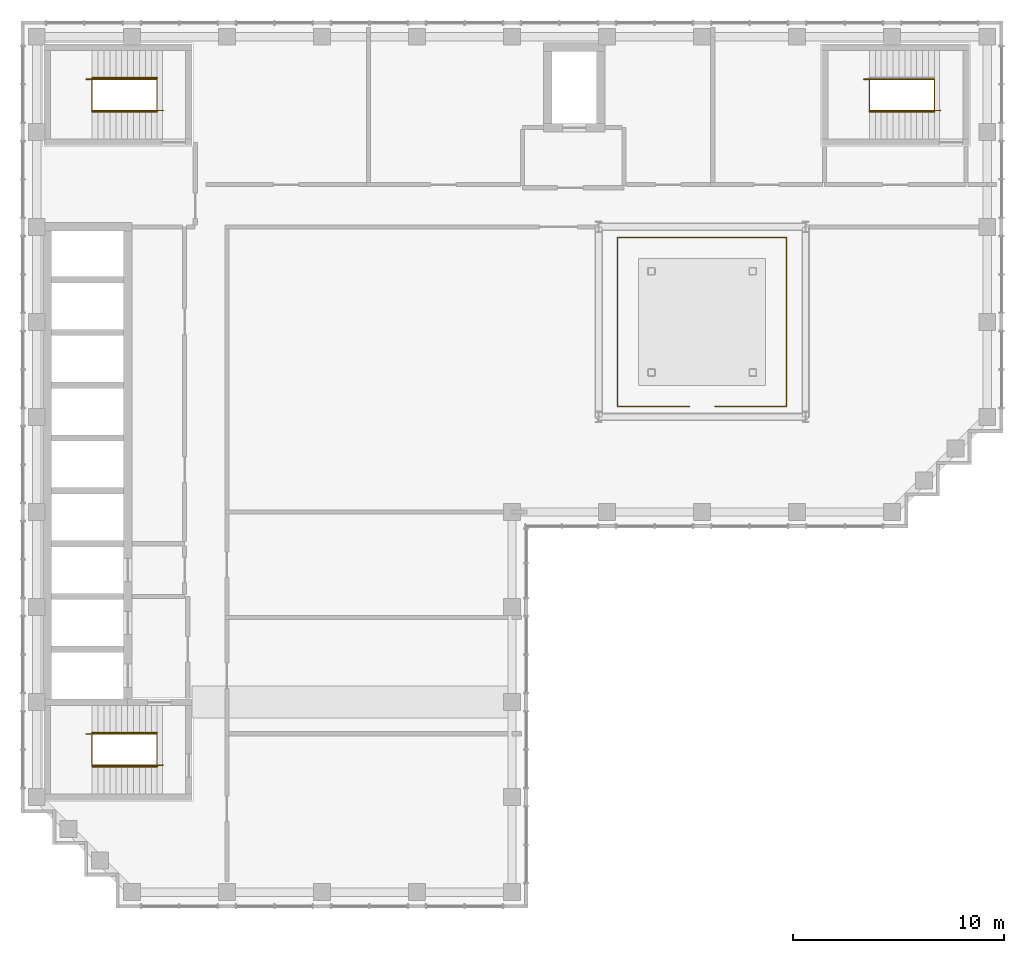
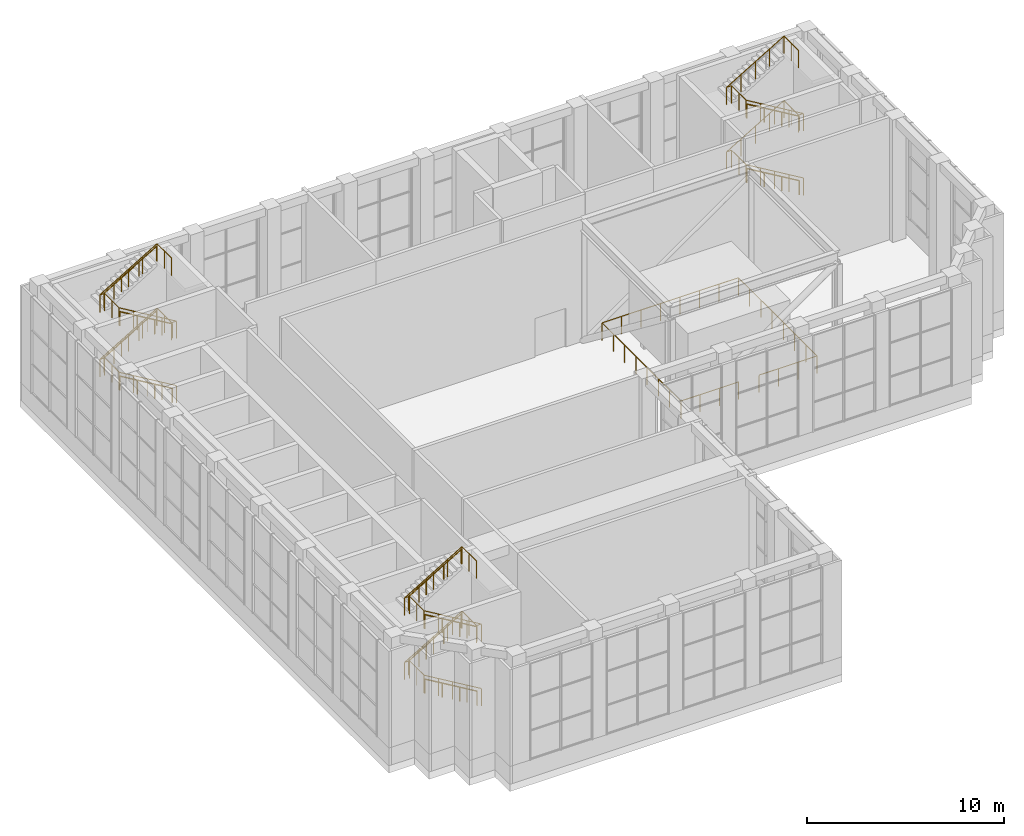
# One storey, part 16 of 17: 14 railings.
"""IFC4 building model written with IfcOpenShell, lengths in metres."""

import ifcopenshell
import ifcopenshell.guid

model = None  # the IFC model being written
_history = None  # IfcOwnerHistory: only IFC2X3 demands one
_inside = {}  # id of a spatial element -> (the spatial element, [elements in it])
_under = {}  # id of a project, library or spatial element -> (it, [spatial elements below it])
_declared = {}  # id of a project -> (the project, [libraries it declares])
_typed = {}  # id of a type object -> (the type object, [elements of that type])
_made_of = {}  # id of a material, layer set ... -> (it, [elements and type objects made of it])


def new_model(schema):
    """Start an empty IFC model of exactly this schema.

    Asked for "IFC4X3", IfcOpenShell would pick the latest addendum, in which some entities
    have other attributes; the version numbers below select the first issue.
    IFC2X3 requires an IfcOwnerHistory on every rooted entity: one is made here for all.
    """
    global model, _history
    if schema == "IFC4X3":
        model = ifcopenshell.file(schema_version=(4, 3, 0, 0))
    else:
        model = ifcopenshell.file(schema=schema)
    _inside.clear()
    _under.clear()
    _declared.clear()
    _typed.clear()
    _made_of.clear()
    _history = None
    if model.schema == "IFC2X3":
        org = make("IfcOrganization", Name="unknown")
        user = make(
            "IfcPersonAndOrganization",
            ThePerson=make("IfcPerson", FamilyName="unknown"),
            TheOrganization=org,
        )
        app = make(
            "IfcApplication",
            ApplicationDeveloper=org,
            Version="unknown",
            ApplicationFullName="unknown",
            ApplicationIdentifier="unknown",
        )
        _history = make(
            "IfcOwnerHistory",
            OwningUser=user,
            OwningApplication=app,
            ChangeAction="ADDED",
            CreationDate=0,
        )
    return model


def make(cls, **values):
    """One entity of the class cls with the attributes given. An attribute that is None is left unset."""
    return model.create_entity(
        cls, **{name: value for name, value in values.items() if value is not None}
    )


def rooted(cls, **values):
    """An entity with a GlobalId (a new one), such as an element, a storey or a relation."""
    return make(cls, GlobalId=ifcopenshell.guid.new(), OwnerHistory=_history, **values)


def si_unit(unit_type, name, prefix=None):
    """IfcSIUnit, for example si_unit("LENGTHUNIT", "METRE", prefix="MILLI")."""
    return make("IfcSIUnit", UnitType=unit_type, Prefix=prefix, Name=name)


def assignment(units):
    """IfcUnitAssignment: the units of a project."""
    return None if units is None else make("IfcUnitAssignment", Units=units)


def point(xyz):
    """IfcCartesianPoint."""
    return None if xyz is None else make("IfcCartesianPoint", Coordinates=xyz)


def direction(xyz):
    """IfcDirection."""
    return None if xyz is None else make("IfcDirection", DirectionRatios=xyz)


def frame(location, z_axis=None, x_axis=None):
    """IfcAxis2Placement3D, a coordinate frame: its origin and axes. An axis left out is left unset."""
    return make(
        "IfcAxis2Placement3D",
        Location=point(location),
        Axis=direction(z_axis),
        RefDirection=direction(x_axis),
    )


def frame_2d(location, x_axis=None):
    """IfcAxis2Placement2D, a coordinate frame in the plane: its origin and x axis."""
    return make(
        "IfcAxis2Placement2D", Location=point(location), RefDirection=direction(x_axis)
    )


def origin():
    """The frame at (0, 0, 0) with its axes left unset."""
    return frame((0.0, 0.0, 0.0))


def origin_2d():
    """The frame at (0, 0) in the plane with its x axis left unset."""
    return frame_2d((0.0, 0.0))


def place(relative_to, where):
    """IfcLocalPlacement: puts the frame where relative to a parent placement (None: the world)."""
    return make(
        "IfcLocalPlacement", PlacementRelTo=relative_to, RelativePlacement=where
    )


def context(
    kind, dimensions, precision=None, world=None, true_north=None, identifier=None
):
    """IfcGeometricRepresentationContext, for example the 3D "Model" context."""
    return make(
        "IfcGeometricRepresentationContext",
        ContextIdentifier=identifier,
        ContextType=kind,
        CoordinateSpaceDimension=dimensions,
        Precision=precision,
        WorldCoordinateSystem=world,
        TrueNorth=true_north,
    )


def subcontext(parent, identifier, kind, view, scale=None):
    """IfcGeometricRepresentationSubContext, for example "Body" below "Model"."""
    return make(
        "IfcGeometricRepresentationSubContext",
        ContextIdentifier=identifier,
        ContextType=kind,
        ParentContext=parent,
        TargetScale=scale,
        TargetView=view,
    )


def project(units=None, contexts=None):
    """IfcProject with its units and contexts."""
    return rooted(
        "IfcProject",
        Name="project",
        RepresentationContexts=contexts,
        UnitsInContext=assignment(units),
    )


def spatial(cls, under=None, at=None, **own):
    """A site, building, storey or space (cls), placed at a placement, below another one or the project."""
    s = rooted(cls, ObjectPlacement=at, **own)
    if under is not None:
        _under.setdefault(under.id(), (under, []))[1].append(s)
    return s


def profile(cls, at=None, kind="AREA", **sizes):
    """A parametric profile (cls). Its sizes go by their IFC names, for example OverallWidth=200.0."""
    return make(cls, ProfileType=kind, Position=at, **sizes)


def circle(**sizes):
    """IfcCircleProfileDef."""
    return profile("IfcCircleProfileDef", **sizes)


def extrude(swept, where, along, depth):
    """IfcExtrudedAreaSolid: the profile swept, set in the frame where, extruded along a direction by depth."""
    return make(
        "IfcExtrudedAreaSolid",
        SweptArea=swept,
        Position=where,
        ExtrudedDirection=direction(along),
        Depth=depth,
    )


def shape(context_of_items, identifier, shape_type, items):
    """IfcShapeRepresentation: the items that make up one representation, for example the "Body"."""
    return make(
        "IfcShapeRepresentation",
        ContextOfItems=context_of_items,
        RepresentationIdentifier=identifier,
        RepresentationType=shape_type,
        Items=items,
    )


def material(Name=None, Category=None):
    """IfcMaterial."""
    return make("IfcMaterial", Name=Name, Category=Category)


def made_of(thing, what):
    """Note that an element or type object is made of a material, layer set ...; save() writes the relation."""
    if what is not None:
        _made_of.setdefault(what.id(), (what, []))[1].append(thing)
    return thing


def type_object(cls, material=None, **own):
    """A type object (cls), such as IfcWallType, which elements share."""
    return made_of(rooted(cls, **own), material)


def element(
    cls,
    number,
    at=None,
    inside=None,
    cuts=None,
    type_object=None,
    material=None,
    context=None,
    identifier="Body",
    shape_type=None,
    held_by="IfcProductDefinitionShape",
    body=None,
    shapes=None,
    **own,
):
    """One element of the class cls, such as IfcWall. Its Tag is "e" and its number.

    at: its placement. inside: the storey or other place that contains it. cuts: it is an
    opening in that element (IfcRelVoidsElement). A single representation is given by context,
    identifier, shape_type and body (its items); several are given by shapes. held_by: the class
    of the entity that holds the representations. save() writes the other relations.
    """
    e = rooted(cls, Tag="e%d" % number, ObjectPlacement=at, **own)
    if body is not None:
        shapes = [shape(context, identifier, shape_type, body)]
    if shapes is not None:
        e.Representation = make(held_by, Representations=shapes)
    if inside is not None:
        _inside.setdefault(inside.id(), (inside, []))[1].append(e)
    if cuts is not None:
        rooted(
            "IfcRelVoidsElement", RelatingBuildingElement=cuts, RelatedOpeningElement=e
        )
    if type_object is not None:
        _typed.setdefault(type_object.id(), (type_object, []))[1].append(e)
    return made_of(e, material)


def aggregate(whole, parts):
    """IfcRelAggregates: a whole, such as a stair, and the parts it consists of."""
    return rooted("IfcRelAggregates", RelatingObject=whole, RelatedObjects=parts)


def save(model, path):
    """Write the relations noted so far, then the file.

    IfcRelAggregates (storeys below a building ...), IfcRelContainedInSpatialStructure (elements
    in a storey), IfcRelDefinesByType, IfcRelAssociatesMaterial and IfcRelDeclares: one each for
    every whole, place, type object, material and project.
    """
    for whole, parts in _under.values():
        aggregate(whole, parts)
    for where, things in _inside.values():
        rooted(
            "IfcRelContainedInSpatialStructure",
            RelatedElements=things,
            RelatingStructure=where,
        )
    for kind, things in _typed.values():
        rooted("IfcRelDefinesByType", RelatedObjects=things, RelatingType=kind)
    for what, things in _made_of.values():
        rooted("IfcRelAssociatesMaterial", RelatedObjects=things, RelatingMaterial=what)
    for by, libraries in _declared.values():
        rooted("IfcRelDeclares", RelatingContext=by, RelatedDefinitions=libraries)
    model.write(path)


model = new_model("IFC4")

# Units and contexts
model_context = context("Model", 3, precision=1e-05, world=origin(), true_north=direction((0.0, 1.0)))
body_context = subcontext(model_context, "Body", "Model", "MODEL_VIEW")
ifc_project = project(units=[si_unit("LENGTHUNIT", "METRE"), si_unit("AREAUNIT", "SQUARE_METRE"), si_unit("VOLUMEUNIT", "CUBIC_METRE"), si_unit("PLANEANGLEUNIT", "RADIAN"), si_unit("MASSUNIT", "GRAM", prefix="KILO")], contexts=[model_context])

# Site, building, storey
site_placement = place(None, origin())
site = spatial("IfcSite", under=ifc_project, at=site_placement, CompositionType="ELEMENT")
building_placement = place(site_placement, origin())
building = spatial("IfcBuilding", under=site, at=building_placement, Name="Firuza Court", CompositionType="ELEMENT")
storey_placement = place(building_placement, frame((0.0, 0.0, 258.199951171875)))
storey = spatial("IfcBuildingStorey", under=building, at=storey_placement, Name="L67", CompositionType="ELEMENT", Elevation=258.199951171875)

# Railings
ifc_material_1 = material(Name="Steel S355", Category="steel")
railing_type_1 = type_object("IfcRailingType", Name="Damper gallery guard 1100", PredefinedType="GUARDRAIL", material=ifc_material_1)
railing_1_placement = place(storey_placement, frame((30.89990234375, 41.0, 0.0)))
element("IfcRailing", 1, at=railing_1_placement, inside=storey, type_object=railing_type_1, Name="Damper pit guard", PredefinedType="GUARDRAIL", context=body_context, shape_type="SweptSolid", body=[
    extrude(circle(Radius=0.02490234375, at=origin_2d()), frame((0.0, 0.0, 1.0751953125), z_axis=(-1.0, 0.0, 0.0), x_axis=(0.0, -1.0, 0.0)), (0.0, 0.0, 1.0), 3.39990234375),
    extrude(circle(Radius=0.02490234375, at=origin_2d()), frame((-3.39990234375, 0.0, 1.0751953125), z_axis=(0.0, 1.0, 0.0), x_axis=(-1.0, 0.0, 0.0)), (0.0, 0.0, 1.0), 8.0),
    extrude(circle(Radius=0.02490234375, at=origin_2d()), frame((-3.39990234375, 8.0, 1.0751953125), z_axis=(1.0, 0.0, 0.0), x_axis=(0.0, 1.0, 0.0)), (0.0, 0.0, 1.0), 8.0),
    extrude(circle(Radius=0.02490234375, at=origin_2d()), frame((4.60009765625, 8.0, 1.0751953125), z_axis=(0.0, -1.0, 0.0), x_axis=(1.0, 0.0, 0.0)), (0.0, 0.0, 1.0), 8.0),
    extrude(circle(Radius=0.02490234375, at=origin_2d()), frame((4.60009765625, 0.0, 1.0751953125), z_axis=(-1.0, 0.0, 0.0), x_axis=(0.0, -1.0, 0.0)), (0.0, 0.0, 1.0), 3.39990234375),
    extrude(circle(Radius=0.02490234375, at=origin_2d()), origin(), (0.0, 0.0, 1.0), 1.050048828125),
    extrude(circle(Radius=0.02490234375, at=origin_2d()), frame((-1.13330078125, 0.0, 0.0)), (0.0, 0.0, 1.0), 1.050048828125),
    extrude(circle(Radius=0.02490234375, at=origin_2d()), frame((-2.2666015625, 0.0, 0.0)), (0.0, 0.0, 1.0), 1.050048828125),
    extrude(circle(Radius=0.02490234375, at=origin_2d()), frame((-3.39990234375, 0.0, 0.0)), (0.0, 0.0, 1.0), 1.050048828125),
    extrude(circle(Radius=0.02490234375, at=origin_2d()), frame((-3.39990234375, 1.142822265625, 0.0)), (0.0, 0.0, 1.0), 1.050048828125),
    extrude(circle(Radius=0.02490234375, at=origin_2d()), frame((-3.39990234375, 2.28564453125, 0.0)), (0.0, 0.0, 1.0), 1.050048828125),
    extrude(circle(Radius=0.02490234375, at=origin_2d()), frame((-3.39990234375, 3.428466796875, 0.0)), (0.0, 0.0, 1.0), 1.050048828125),
    extrude(circle(Radius=0.02490234375, at=origin_2d()), frame((-3.39990234375, 4.571533203125, 0.0)), (0.0, 0.0, 1.0), 1.050048828125),
    extrude(circle(Radius=0.02490234375, at=origin_2d()), frame((-3.39990234375, 5.71435546875, 0.0)), (0.0, 0.0, 1.0), 1.050048828125),
    extrude(circle(Radius=0.02490234375, at=origin_2d()), frame((-3.39990234375, 6.857177734375, 0.0)), (0.0, 0.0, 1.0), 1.050048828125),
    extrude(circle(Radius=0.02490234375, at=origin_2d()), frame((-3.39990234375, 8.0, 0.0)), (0.0, 0.0, 1.0), 1.050048828125),
    extrude(circle(Radius=0.02490234375, at=origin_2d()), frame((-2.257080078125, 8.0, 0.0)), (0.0, 0.0, 1.0), 1.050048828125),
    extrude(circle(Radius=0.02490234375, at=origin_2d()), frame((-1.1142578125, 8.0, 0.0)), (0.0, 0.0, 1.0), 1.050048828125),
    extrude(circle(Radius=0.02490234375, at=origin_2d()), frame((0.028564453125, 8.0, 0.0)), (0.0, 0.0, 1.0), 1.050048828125),
    extrude(circle(Radius=0.02490234375, at=origin_2d()), frame((1.171630859375, 8.0, 0.0)), (0.0, 0.0, 1.0), 1.050048828125),
    extrude(circle(Radius=0.02490234375, at=origin_2d()), frame((2.314453125, 8.0, 0.0)), (0.0, 0.0, 1.0), 1.050048828125),
    extrude(circle(Radius=0.02490234375, at=origin_2d()), frame((3.457275390625, 8.0, 0.0)), (0.0, 0.0, 1.0), 1.050048828125),
    extrude(circle(Radius=0.02490234375, at=origin_2d()), frame((4.60009765625, 8.0, 0.0)), (0.0, 0.0, 1.0), 1.050048828125),
    extrude(circle(Radius=0.02490234375, at=origin_2d()), frame((4.60009765625, 6.857177734375, 0.0)), (0.0, 0.0, 1.0), 1.050048828125),
    extrude(circle(Radius=0.02490234375, at=origin_2d()), frame((4.60009765625, 5.71435546875, 0.0)), (0.0, 0.0, 1.0), 1.050048828125),
    extrude(circle(Radius=0.02490234375, at=origin_2d()), frame((4.60009765625, 4.571533203125, 0.0)), (0.0, 0.0, 1.0), 1.050048828125),
    extrude(circle(Radius=0.02490234375, at=origin_2d()), frame((4.60009765625, 3.428466796875, 0.0)), (0.0, 0.0, 1.0), 1.050048828125),
    extrude(circle(Radius=0.02490234375, at=origin_2d()), frame((4.60009765625, 2.28564453125, 0.0)), (0.0, 0.0, 1.0), 1.050048828125),
    extrude(circle(Radius=0.02490234375, at=origin_2d()), frame((4.60009765625, 1.142822265625, 0.0)), (0.0, 0.0, 1.0), 1.050048828125),
    extrude(circle(Radius=0.02490234375, at=origin_2d()), frame((4.60009765625, 0.0, 0.0)), (0.0, 0.0, 1.0), 1.050048828125),
    extrude(circle(Radius=0.02490234375, at=origin_2d()), frame((3.466796875, 0.0, 0.0)), (0.0, 0.0, 1.0), 1.050048828125),
    extrude(circle(Radius=0.02490234375, at=origin_2d()), frame((2.33349609375, 0.0, 0.0)), (0.0, 0.0, 1.0), 1.050048828125),
    extrude(circle(Radius=0.02490234375, at=origin_2d()), frame((1.2001953125, 0.0, 0.0)), (0.0, 0.0, 1.0), 1.050048828125),
])
ifc_material_2 = material(Name="Steel S355", Category="steel")
railing_type_2 = type_object("IfcRailingType", Name="Handrail 900", PredefinedType="HANDRAIL", material=ifc_material_2)
for number, where, name in (
    (2, (42.5, 54.949951171875, 0.166748046875), "Handrail S1 flight 1"),
    (3, (42.5, 54.949951171875, 4.166748046875), "Handrail S1 flight 3"),
):
    element("IfcRailing", number, at=place(storey_placement, frame(where)), inside=storey, type_object=railing_type_2, Name=name, PredefinedType="HANDRAIL", context=body_context, shape_type="SweptSolid", body=[
        extrude(circle(Radius=0.02490234375, at=origin_2d()), frame((0.0, 0.0, 0.875), z_axis=(-0.859308565015, 0.0, 0.511457515432), x_axis=(0.0, -1.0, 0.0)), (0.0, 0.0, 1.0), 3.58447265625),
        extrude(circle(Radius=0.02001953125, at=origin_2d()), origin(), (0.0, 0.0, 1.0), 0.849853515625),
        extrude(circle(Radius=0.02001953125, at=origin_2d()), frame((-1.026611328125, 0.0, 0.611083984375)), (0.0, 0.0, 1.0), 0.849853515625),
        extrude(circle(Radius=0.02001953125, at=origin_2d()), frame((-2.053466796875, 0.0, 1.22216796875)), (0.0, 0.0, 1.0), 0.849853515625),
        extrude(circle(Radius=0.02001953125, at=origin_2d()), frame((-3.080078125, 0.0, 1.833251953125)), (0.0, 0.0, 1.0), 0.849853515625),
    ])
railing_2_placement = place(storey_placement, frame((5.699951171875, 23.949951171875, 0.166748046875)))
element("IfcRailing", 4, at=railing_2_placement, inside=storey, type_object=railing_type_2, Name="Handrail S2 flight 1", PredefinedType="HANDRAIL", context=body_context, shape_type="SweptSolid", body=[
    extrude(circle(Radius=0.02490234375, at=origin_2d()), frame((0.0, 0.0, 0.875), z_axis=(-0.859290745958, 0.0, 0.51148745235), x_axis=(0.0, -1.0, 0.0)), (0.0, 0.0, 1.0), 3.584228515625),
    extrude(circle(Radius=0.02001953125, at=origin_2d()), origin(), (0.0, 0.0, 1.0), 0.849853515625),
    extrude(circle(Radius=0.02001953125, at=origin_2d()), frame((-1.026611328125, 0.0, 0.611083984375)), (0.0, 0.0, 1.0), 0.849853515625),
    extrude(circle(Radius=0.02001953125, at=origin_2d()), frame((-2.05322265625, 0.0, 1.22216796875)), (0.0, 0.0, 1.0), 0.849853515625),
    extrude(circle(Radius=0.02001953125, at=origin_2d()), frame((-3.079833984375, 0.0, 1.833251953125)), (0.0, 0.0, 1.0), 0.849853515625),
])
railing_3_placement = place(storey_placement, frame((2.6201171875, 25.550048828125, 2.166748046875)))
element("IfcRailing", 5, at=railing_3_placement, inside=storey, type_object=railing_type_2, Name="Handrail S2 flight 2", PredefinedType="HANDRAIL", context=body_context, shape_type="SweptSolid", body=[
    extrude(circle(Radius=0.02490234375, at=origin_2d()), frame((0.0, 0.0, 0.875), z_axis=(0.859290745958, 0.0, 0.51148745235), x_axis=(0.0, 1.0, 0.0)), (0.0, 0.0, 1.0), 3.584228515625),
    extrude(circle(Radius=0.02001953125, at=origin_2d()), origin(), (0.0, 0.0, 1.0), 0.849853515625),
    extrude(circle(Radius=0.02001953125, at=origin_2d()), frame((1.026611328125, 0.0, 0.611083984375)), (0.0, 0.0, 1.0), 0.849853515625),
    extrude(circle(Radius=0.02001953125, at=origin_2d()), frame((2.05322265625, 0.0, 1.22216796875)), (0.0, 0.0, 1.0), 0.849853515625),
    extrude(circle(Radius=0.02001953125, at=origin_2d()), frame((3.079833984375, 0.0, 1.833251953125)), (0.0, 0.0, 1.0), 0.849853515625),
])
railing_4_placement = place(storey_placement, frame((5.699951171875, 23.949951171875, 4.166748046875)))
element("IfcRailing", 6, at=railing_4_placement, inside=storey, type_object=railing_type_2, Name="Handrail S2 flight 3", PredefinedType="HANDRAIL", context=body_context, shape_type="SweptSolid", body=[
    extrude(circle(Radius=0.02490234375, at=origin_2d()), frame((0.0, 0.0, 0.875), z_axis=(-0.859290745958, 0.0, 0.51148745235), x_axis=(0.0, -1.0, 0.0)), (0.0, 0.0, 1.0), 3.584228515625),
    extrude(circle(Radius=0.02001953125, at=origin_2d()), origin(), (0.0, 0.0, 1.0), 0.849853515625),
    extrude(circle(Radius=0.02001953125, at=origin_2d()), frame((-1.026611328125, 0.0, 0.611083984375)), (0.0, 0.0, 1.0), 0.849853515625),
    extrude(circle(Radius=0.02001953125, at=origin_2d()), frame((-2.05322265625, 0.0, 1.22216796875)), (0.0, 0.0, 1.0), 0.849853515625),
    extrude(circle(Radius=0.02001953125, at=origin_2d()), frame((-3.079833984375, 0.0, 1.833251953125)), (0.0, 0.0, 1.0), 0.849853515625),
])
railing_5_placement = place(storey_placement, frame((2.6201171875, 25.550048828125, 6.166748046875)))
element("IfcRailing", 7, at=railing_5_placement, inside=storey, type_object=railing_type_2, Name="Handrail S2 flight 4", PredefinedType="HANDRAIL", context=body_context, shape_type="SweptSolid", body=[
    extrude(circle(Radius=0.02490234375, at=origin_2d()), frame((0.0, 0.0, 0.875), z_axis=(0.859290745958, 0.0, 0.51148745235), x_axis=(0.0, 1.0, 0.0)), (0.0, 0.0, 1.0), 3.584228515625),
    extrude(circle(Radius=0.02001953125, at=origin_2d()), origin(), (0.0, 0.0, 1.0), 0.849853515625),
    extrude(circle(Radius=0.02001953125, at=origin_2d()), frame((1.026611328125, 0.0, 0.611083984375)), (0.0, 0.0, 1.0), 0.849853515625),
    extrude(circle(Radius=0.02001953125, at=origin_2d()), frame((2.05322265625, 0.0, 1.22216796875)), (0.0, 0.0, 1.0), 0.849853515625),
    extrude(circle(Radius=0.02001953125, at=origin_2d()), frame((3.079833984375, 0.0, 1.833251953125)), (0.0, 0.0, 1.0), 0.849853515625),
])
railing_6_placement = place(storey_placement, frame((5.699951171875, 54.949951171875, 0.166748046875)))
element("IfcRailing", 8, at=railing_6_placement, inside=storey, type_object=railing_type_2, Name="Handrail S3 flight 1", PredefinedType="HANDRAIL", context=body_context, shape_type="SweptSolid", body=[
    extrude(circle(Radius=0.02490234375, at=origin_2d()), frame((0.0, 0.0, 0.875), z_axis=(-0.859290745958, 0.0, 0.51148745235), x_axis=(0.0, -1.0, 0.0)), (0.0, 0.0, 1.0), 3.584228515625),
    extrude(circle(Radius=0.02001953125, at=origin_2d()), origin(), (0.0, 0.0, 1.0), 0.849853515625),
    extrude(circle(Radius=0.02001953125, at=origin_2d()), frame((-1.026611328125, 0.0, 0.611083984375)), (0.0, 0.0, 1.0), 0.849853515625),
    extrude(circle(Radius=0.02001953125, at=origin_2d()), frame((-2.05322265625, 0.0, 1.22216796875)), (0.0, 0.0, 1.0), 0.849853515625),
    extrude(circle(Radius=0.02001953125, at=origin_2d()), frame((-3.079833984375, 0.0, 1.833251953125)), (0.0, 0.0, 1.0), 0.849853515625),
])
railing_7_placement = place(storey_placement, frame((2.6201171875, 56.550048828125, 2.166748046875)))
element("IfcRailing", 9, at=railing_7_placement, inside=storey, type_object=railing_type_2, Name="Handrail S3 flight 2", PredefinedType="HANDRAIL", context=body_context, shape_type="SweptSolid", body=[
    extrude(circle(Radius=0.02490234375, at=origin_2d()), frame((0.0, 0.0, 0.875), z_axis=(0.859290745958, 0.0, 0.51148745235), x_axis=(0.0, 1.0, 0.0)), (0.0, 0.0, 1.0), 3.584228515625),
    extrude(circle(Radius=0.02001953125, at=origin_2d()), origin(), (0.0, 0.0, 1.0), 0.849853515625),
    extrude(circle(Radius=0.02001953125, at=origin_2d()), frame((1.026611328125, 0.0, 0.611083984375)), (0.0, 0.0, 1.0), 0.849853515625),
    extrude(circle(Radius=0.02001953125, at=origin_2d()), frame((2.05322265625, 0.0, 1.22216796875)), (0.0, 0.0, 1.0), 0.849853515625),
    extrude(circle(Radius=0.02001953125, at=origin_2d()), frame((3.079833984375, 0.0, 1.833251953125)), (0.0, 0.0, 1.0), 0.849853515625),
])
railing_8_placement = place(storey_placement, frame((5.699951171875, 54.949951171875, 4.166748046875)))
element("IfcRailing", 10, at=railing_8_placement, inside=storey, type_object=railing_type_2, Name="Handrail S3 flight 3", PredefinedType="HANDRAIL", context=body_context, shape_type="SweptSolid", body=[
    extrude(circle(Radius=0.02490234375, at=origin_2d()), frame((0.0, 0.0, 0.875), z_axis=(-0.859290745958, 0.0, 0.51148745235), x_axis=(0.0, -1.0, 0.0)), (0.0, 0.0, 1.0), 3.584228515625),
    extrude(circle(Radius=0.02001953125, at=origin_2d()), origin(), (0.0, 0.0, 1.0), 0.849853515625),
    extrude(circle(Radius=0.02001953125, at=origin_2d()), frame((-1.026611328125, 0.0, 0.611083984375)), (0.0, 0.0, 1.0), 0.849853515625),
    extrude(circle(Radius=0.02001953125, at=origin_2d()), frame((-2.05322265625, 0.0, 1.22216796875)), (0.0, 0.0, 1.0), 0.849853515625),
    extrude(circle(Radius=0.02001953125, at=origin_2d()), frame((-3.079833984375, 0.0, 1.833251953125)), (0.0, 0.0, 1.0), 0.849853515625),
])
railing_9_placement = place(storey_placement, frame((2.6201171875, 56.550048828125, 6.166748046875)))
element("IfcRailing", 11, at=railing_9_placement, inside=storey, type_object=railing_type_2, Name="Handrail S3 flight 4", PredefinedType="HANDRAIL", context=body_context, shape_type="SweptSolid", body=[
    extrude(circle(Radius=0.02490234375, at=origin_2d()), frame((0.0, 0.0, 0.875), z_axis=(0.859290745958, 0.0, 0.51148745235), x_axis=(0.0, 1.0, 0.0)), (0.0, 0.0, 1.0), 3.584228515625),
    extrude(circle(Radius=0.02001953125, at=origin_2d()), origin(), (0.0, 0.0, 1.0), 0.849853515625),
    extrude(circle(Radius=0.02001953125, at=origin_2d()), frame((1.026611328125, 0.0, 0.611083984375)), (0.0, 0.0, 1.0), 0.849853515625),
    extrude(circle(Radius=0.02001953125, at=origin_2d()), frame((2.05322265625, 0.0, 1.22216796875)), (0.0, 0.0, 1.0), 0.849853515625),
    extrude(circle(Radius=0.02001953125, at=origin_2d()), frame((3.079833984375, 0.0, 1.833251953125)), (0.0, 0.0, 1.0), 0.849853515625),
])
ifc_material_3 = material(Name="Steel S355", Category="steel")
railing_type_3 = type_object("IfcRailingType", Name="Stair guard 1100", PredefinedType="GUARDRAIL", material=ifc_material_3)
railing_10_placement = place(storey_placement, frame((42.780029296875, 55.010009765625, 0.0)))
element("IfcRailing", 12, at=railing_10_placement, inside=storey, type_object=railing_type_3, Name="Stair well guard S1", PredefinedType="GUARDRAIL", context=body_context, shape_type="SweptSolid", body=[
    extrude(circle(Radius=0.02490234375, at=origin_2d()), frame((0.0, 0.0, 1.0751953125), z_axis=(-0.859300071335, 0.0, 0.511471785539), x_axis=(0.0, -1.0, 0.0)), (0.0, 0.0, 1.0), 3.910400390625),
    extrude(circle(Radius=0.02490234375, at=origin_2d()), frame((-3.360107421875, 0.0, 3.0751953125), z_axis=(0.0, 1.0, 0.0), x_axis=(-1.0, 0.0, 0.0)), (0.0, 0.0, 1.0), 1.47998046875),
    extrude(circle(Radius=0.02490234375, at=origin_2d()), frame((-3.360107421875, 1.47998046875, 3.0751953125), z_axis=(-1.0, 0.0, 0.0), x_axis=(0.0, -1.0, 0.0)), (0.0, 0.0, 1.0), 0.280029296875),
    extrude(circle(Radius=0.02490234375, at=origin_2d()), frame((-3.64013671875, 1.47998046875, 3.0751953125), z_axis=(0.859300071335, 0.0, 0.511471785539), x_axis=(0.0, 1.0, 0.0)), (0.0, 0.0, 1.0), 3.910400390625),
    extrude(circle(Radius=0.02490234375, at=origin_2d()), frame((-0.280029296875, 1.47998046875, 5.0751953125), z_axis=(0.0, -1.0, 0.0), x_axis=(1.0, 0.0, 0.0)), (0.0, 0.0, 1.0), 1.47998046875),
    extrude(circle(Radius=0.02490234375, at=origin_2d()), frame((-0.280029296875, 0.0, 5.0751953125), z_axis=(1.0, 0.0, 0.0), x_axis=(0.0, 1.0, 0.0)), (0.0, 0.0, 1.0), 0.280029296875),
    extrude(circle(Radius=0.02490234375, at=origin_2d()), frame((0.0, 0.0, 5.0751953125), z_axis=(-0.859300071335, 0.0, 0.511471785539), x_axis=(0.0, -1.0, 0.0)), (0.0, 0.0, 1.0), 3.910400390625),
    extrude(circle(Radius=0.02490234375, at=origin_2d()), frame((-3.360107421875, 0.0, 7.0751953125), z_axis=(0.0, 1.0, 0.0), x_axis=(-1.0, 0.0, 0.0)), (0.0, 0.0, 1.0), 1.47998046875),
    extrude(circle(Radius=0.02490234375, at=origin_2d()), frame((-3.360107421875, 1.47998046875, 7.0751953125), z_axis=(-1.0, 0.0, 0.0), x_axis=(0.0, -1.0, 0.0)), (0.0, 0.0, 1.0), 0.280029296875),
    extrude(circle(Radius=0.02490234375, at=origin_2d()), frame((-3.64013671875, 1.47998046875, 7.0751953125), z_axis=(0.859300071335, 0.0, 0.511471785539), x_axis=(0.0, 1.0, 0.0)), (0.0, 0.0, 1.0), 3.910400390625),
    extrude(circle(Radius=0.02490234375, at=origin_2d()), frame((-0.280029296875, 1.47998046875, 9.0751953125), z_axis=(0.0, -1.0, 0.0), x_axis=(1.0, 0.0, 0.0)), (0.0, 0.0, 1.0), 1.47998046875),
    extrude(circle(Radius=0.02490234375, at=origin_2d()), origin(), (0.0, 0.0, 1.0), 1.050048828125),
    extrude(circle(Radius=0.02490234375, at=origin_2d()), frame((-0.840087890625, 0.0, 0.5)), (0.0, 0.0, 1.0), 1.050048828125),
    extrude(circle(Radius=0.02490234375, at=origin_2d()), frame((-1.68017578125, 0.0, 1.0)), (0.0, 0.0, 1.0), 1.050048828125),
    extrude(circle(Radius=0.02490234375, at=origin_2d()), frame((-2.52001953125, 0.0, 1.5)), (0.0, 0.0, 1.0), 1.050048828125),
    extrude(circle(Radius=0.02490234375, at=origin_2d()), frame((-3.360107421875, 0.0, 2.0)), (0.0, 0.0, 1.0), 1.050048828125),
    extrude(circle(Radius=0.02490234375, at=origin_2d()), frame((-3.360107421875, 0.739990234375, 2.0)), (0.0, 0.0, 1.0), 1.050048828125),
    extrude(circle(Radius=0.02490234375, at=origin_2d()), frame((-3.360107421875, 1.47998046875, 2.0)), (0.0, 0.0, 1.0), 1.050048828125),
    extrude(circle(Radius=0.02490234375, at=origin_2d()), frame((-3.64013671875, 1.47998046875, 2.0)), (0.0, 0.0, 1.0), 1.050048828125),
    extrude(circle(Radius=0.02490234375, at=origin_2d()), frame((-2.800048828125, 1.47998046875, 2.5)), (0.0, 0.0, 1.0), 1.050048828125),
    extrude(circle(Radius=0.02490234375, at=origin_2d()), frame((-1.9599609375, 1.47998046875, 3.0)), (0.0, 0.0, 1.0), 1.050048828125),
    extrude(circle(Radius=0.02490234375, at=origin_2d()), frame((-1.1201171875, 1.47998046875, 3.5)), (0.0, 0.0, 1.0), 1.050048828125),
    extrude(circle(Radius=0.02490234375, at=origin_2d()), frame((-0.280029296875, 1.47998046875, 4.0)), (0.0, 0.0, 1.0), 1.050048828125),
    extrude(circle(Radius=0.02490234375, at=origin_2d()), frame((-0.280029296875, 0.739990234375, 4.0)), (0.0, 0.0, 1.0), 1.050048828125),
    extrude(circle(Radius=0.02490234375, at=origin_2d()), frame((-0.280029296875, 0.0, 4.0)), (0.0, 0.0, 1.0), 1.050048828125),
    extrude(circle(Radius=0.02490234375, at=origin_2d()), frame((0.0, 0.0, 4.0)), (0.0, 0.0, 1.0), 1.050048828125),
    extrude(circle(Radius=0.02490234375, at=origin_2d()), frame((-0.840087890625, 0.0, 4.5)), (0.0, 0.0, 1.0), 1.050048828125),
    extrude(circle(Radius=0.02490234375, at=origin_2d()), frame((-1.68017578125, 0.0, 5.0)), (0.0, 0.0, 1.0), 1.050048828125),
    extrude(circle(Radius=0.02490234375, at=origin_2d()), frame((-2.52001953125, 0.0, 5.5)), (0.0, 0.0, 1.0), 1.050048828125),
    extrude(circle(Radius=0.02490234375, at=origin_2d()), frame((-3.360107421875, 0.0, 6.0)), (0.0, 0.0, 1.0), 1.050048828125),
    extrude(circle(Radius=0.02490234375, at=origin_2d()), frame((-3.360107421875, 0.739990234375, 6.0)), (0.0, 0.0, 1.0), 1.050048828125),
    extrude(circle(Radius=0.02490234375, at=origin_2d()), frame((-3.360107421875, 1.47998046875, 6.0)), (0.0, 0.0, 1.0), 1.050048828125),
    extrude(circle(Radius=0.02490234375, at=origin_2d()), frame((-3.64013671875, 1.47998046875, 6.0)), (0.0, 0.0, 1.0), 1.050048828125),
    extrude(circle(Radius=0.02490234375, at=origin_2d()), frame((-2.800048828125, 1.47998046875, 6.5)), (0.0, 0.0, 1.0), 1.050048828125),
    extrude(circle(Radius=0.02490234375, at=origin_2d()), frame((-1.9599609375, 1.47998046875, 7.0)), (0.0, 0.0, 1.0), 1.050048828125),
    extrude(circle(Radius=0.02490234375, at=origin_2d()), frame((-1.1201171875, 1.47998046875, 7.5)), (0.0, 0.0, 1.0), 1.050048828125),
    extrude(circle(Radius=0.02490234375, at=origin_2d()), frame((-0.280029296875, 1.47998046875, 8.0)), (0.0, 0.0, 1.0), 1.050048828125),
    extrude(circle(Radius=0.02490234375, at=origin_2d()), frame((-0.280029296875, 0.739990234375, 8.0)), (0.0, 0.0, 1.0), 1.050048828125),
    extrude(circle(Radius=0.02490234375, at=origin_2d()), frame((-0.280029296875, 0.0, 8.0)), (0.0, 0.0, 1.0), 1.050048828125),
])
railing_11_placement = place(storey_placement, frame((5.97998046875, 24.010009765625, 0.0)))
element("IfcRailing", 13, at=railing_11_placement, inside=storey, type_object=railing_type_3, Name="Stair well guard S2", PredefinedType="GUARDRAIL", context=body_context, shape_type="SweptSolid", body=[
    extrude(circle(Radius=0.02490234375, at=origin_2d()), frame((0.0, 0.0, 1.0751953125), z_axis=(-0.859283736677, 0.0, 0.511499227646), x_axis=(0.0, -1.0, 0.0)), (0.0, 0.0, 1.0), 3.91015625),
    extrude(circle(Radius=0.02490234375, at=origin_2d()), frame((-3.35986328125, 0.0, 3.0751953125), z_axis=(0.0, 1.0, 0.0), x_axis=(-1.0, 0.0, 0.0)), (0.0, 0.0, 1.0), 1.47998046875),
    extrude(circle(Radius=0.02490234375, at=origin_2d()), frame((-3.35986328125, 1.47998046875, 3.0751953125), z_axis=(-1.0, 0.0, 0.0), x_axis=(0.0, -1.0, 0.0)), (0.0, 0.0, 1.0), 0.280029296875),
    extrude(circle(Radius=0.02490234375, at=origin_2d()), frame((-3.639892578125, 1.47998046875, 3.0751953125), z_axis=(0.859283736677, 0.0, 0.511499227646), x_axis=(0.0, 1.0, 0.0)), (0.0, 0.0, 1.0), 3.91015625),
    extrude(circle(Radius=0.02490234375, at=origin_2d()), frame((-0.280029296875, 1.47998046875, 5.0751953125), z_axis=(0.0, -1.0, 0.0), x_axis=(1.0, 0.0, 0.0)), (0.0, 0.0, 1.0), 1.47998046875),
    extrude(circle(Radius=0.02490234375, at=origin_2d()), frame((-0.280029296875, 0.0, 5.0751953125), z_axis=(1.0, 0.0, 0.0), x_axis=(0.0, 1.0, 0.0)), (0.0, 0.0, 1.0), 0.280029296875),
    extrude(circle(Radius=0.02490234375, at=origin_2d()), frame((0.0, 0.0, 5.0751953125), z_axis=(-0.859283736677, 0.0, 0.511499227646), x_axis=(0.0, -1.0, 0.0)), (0.0, 0.0, 1.0), 3.91015625),
    extrude(circle(Radius=0.02490234375, at=origin_2d()), frame((-3.35986328125, 0.0, 7.0751953125), z_axis=(0.0, 1.0, 0.0), x_axis=(-1.0, 0.0, 0.0)), (0.0, 0.0, 1.0), 1.47998046875),
    extrude(circle(Radius=0.02490234375, at=origin_2d()), frame((-3.35986328125, 1.47998046875, 7.0751953125), z_axis=(-1.0, 0.0, 0.0), x_axis=(0.0, -1.0, 0.0)), (0.0, 0.0, 1.0), 0.280029296875),
    extrude(circle(Radius=0.02490234375, at=origin_2d()), frame((-3.639892578125, 1.47998046875, 7.0751953125), z_axis=(0.859283736677, 0.0, 0.511499227646), x_axis=(0.0, 1.0, 0.0)), (0.0, 0.0, 1.0), 3.91015625),
    extrude(circle(Radius=0.02490234375, at=origin_2d()), frame((-0.280029296875, 1.47998046875, 9.0751953125), z_axis=(0.0, -1.0, 0.0), x_axis=(1.0, 0.0, 0.0)), (0.0, 0.0, 1.0), 1.47998046875),
    extrude(circle(Radius=0.02490234375, at=origin_2d()), origin(), (0.0, 0.0, 1.0), 1.050048828125),
    extrude(circle(Radius=0.02490234375, at=origin_2d()), frame((-0.83984375, 0.0, 0.5)), (0.0, 0.0, 1.0), 1.050048828125),
    extrude(circle(Radius=0.02490234375, at=origin_2d()), frame((-1.679931640625, 0.0, 1.0)), (0.0, 0.0, 1.0), 1.050048828125),
    extrude(circle(Radius=0.02490234375, at=origin_2d()), frame((-2.52001953125, 0.0, 1.5)), (0.0, 0.0, 1.0), 1.050048828125),
    extrude(circle(Radius=0.02490234375, at=origin_2d()), frame((-3.35986328125, 0.0, 2.0)), (0.0, 0.0, 1.0), 1.050048828125),
    extrude(circle(Radius=0.02490234375, at=origin_2d()), frame((-3.35986328125, 0.739990234375, 2.0)), (0.0, 0.0, 1.0), 1.050048828125),
    extrude(circle(Radius=0.02490234375, at=origin_2d()), frame((-3.35986328125, 1.47998046875, 2.0)), (0.0, 0.0, 1.0), 1.050048828125),
    extrude(circle(Radius=0.02490234375, at=origin_2d()), frame((-3.639892578125, 1.47998046875, 2.0)), (0.0, 0.0, 1.0), 1.050048828125),
    extrude(circle(Radius=0.02490234375, at=origin_2d()), frame((-2.7998046875, 1.47998046875, 2.5)), (0.0, 0.0, 1.0), 1.050048828125),
    extrude(circle(Radius=0.02490234375, at=origin_2d()), frame((-1.9599609375, 1.47998046875, 3.0)), (0.0, 0.0, 1.0), 1.050048828125),
    extrude(circle(Radius=0.02490234375, at=origin_2d()), frame((-1.1201171875, 1.47998046875, 3.5)), (0.0, 0.0, 1.0), 1.050048828125),
    extrude(circle(Radius=0.02490234375, at=origin_2d()), frame((-0.280029296875, 1.47998046875, 4.0)), (0.0, 0.0, 1.0), 1.050048828125),
    extrude(circle(Radius=0.02490234375, at=origin_2d()), frame((-0.280029296875, 0.739990234375, 4.0)), (0.0, 0.0, 1.0), 1.050048828125),
    extrude(circle(Radius=0.02490234375, at=origin_2d()), frame((-0.280029296875, 0.0, 4.0)), (0.0, 0.0, 1.0), 1.050048828125),
    extrude(circle(Radius=0.02490234375, at=origin_2d()), frame((0.0, 0.0, 4.0)), (0.0, 0.0, 1.0), 1.050048828125),
    extrude(circle(Radius=0.02490234375, at=origin_2d()), frame((-0.83984375, 0.0, 4.5)), (0.0, 0.0, 1.0), 1.050048828125),
    extrude(circle(Radius=0.02490234375, at=origin_2d()), frame((-1.679931640625, 0.0, 5.0)), (0.0, 0.0, 1.0), 1.050048828125),
    extrude(circle(Radius=0.02490234375, at=origin_2d()), frame((-2.52001953125, 0.0, 5.5)), (0.0, 0.0, 1.0), 1.050048828125),
    extrude(circle(Radius=0.02490234375, at=origin_2d()), frame((-3.35986328125, 0.0, 6.0)), (0.0, 0.0, 1.0), 1.050048828125),
    extrude(circle(Radius=0.02490234375, at=origin_2d()), frame((-3.35986328125, 0.739990234375, 6.0)), (0.0, 0.0, 1.0), 1.050048828125),
    extrude(circle(Radius=0.02490234375, at=origin_2d()), frame((-3.35986328125, 1.47998046875, 6.0)), (0.0, 0.0, 1.0), 1.050048828125),
    extrude(circle(Radius=0.02490234375, at=origin_2d()), frame((-3.639892578125, 1.47998046875, 6.0)), (0.0, 0.0, 1.0), 1.050048828125),
    extrude(circle(Radius=0.02490234375, at=origin_2d()), frame((-2.7998046875, 1.47998046875, 6.5)), (0.0, 0.0, 1.0), 1.050048828125),
    extrude(circle(Radius=0.02490234375, at=origin_2d()), frame((-1.9599609375, 1.47998046875, 7.0)), (0.0, 0.0, 1.0), 1.050048828125),
    extrude(circle(Radius=0.02490234375, at=origin_2d()), frame((-1.1201171875, 1.47998046875, 7.5)), (0.0, 0.0, 1.0), 1.050048828125),
    extrude(circle(Radius=0.02490234375, at=origin_2d()), frame((-0.280029296875, 1.47998046875, 8.0)), (0.0, 0.0, 1.0), 1.050048828125),
    extrude(circle(Radius=0.02490234375, at=origin_2d()), frame((-0.280029296875, 0.739990234375, 8.0)), (0.0, 0.0, 1.0), 1.050048828125),
    extrude(circle(Radius=0.02490234375, at=origin_2d()), frame((-0.280029296875, 0.0, 8.0)), (0.0, 0.0, 1.0), 1.050048828125),
])
railing_12_placement = place(storey_placement, frame((5.97998046875, 55.010009765625, 0.0)))
element("IfcRailing", 14, at=railing_12_placement, inside=storey, type_object=railing_type_3, Name="Stair well guard S3", PredefinedType="GUARDRAIL", context=body_context, shape_type="SweptSolid", body=[
    extrude(circle(Radius=0.02490234375, at=origin_2d()), frame((0.0, 0.0, 1.0751953125), z_axis=(-0.859283736677, 0.0, 0.511499227646), x_axis=(0.0, -1.0, 0.0)), (0.0, 0.0, 1.0), 3.91015625),
    extrude(circle(Radius=0.02490234375, at=origin_2d()), frame((-3.35986328125, 0.0, 3.0751953125), z_axis=(0.0, 1.0, 0.0), x_axis=(-1.0, 0.0, 0.0)), (0.0, 0.0, 1.0), 1.47998046875),
    extrude(circle(Radius=0.02490234375, at=origin_2d()), frame((-3.35986328125, 1.47998046875, 3.0751953125), z_axis=(-1.0, 0.0, 0.0), x_axis=(0.0, -1.0, 0.0)), (0.0, 0.0, 1.0), 0.280029296875),
    extrude(circle(Radius=0.02490234375, at=origin_2d()), frame((-3.639892578125, 1.47998046875, 3.0751953125), z_axis=(0.859283736677, 0.0, 0.511499227646), x_axis=(0.0, 1.0, 0.0)), (0.0, 0.0, 1.0), 3.91015625),
    extrude(circle(Radius=0.02490234375, at=origin_2d()), frame((-0.280029296875, 1.47998046875, 5.0751953125), z_axis=(0.0, -1.0, 0.0), x_axis=(1.0, 0.0, 0.0)), (0.0, 0.0, 1.0), 1.47998046875),
    extrude(circle(Radius=0.02490234375, at=origin_2d()), frame((-0.280029296875, 0.0, 5.0751953125), z_axis=(1.0, 0.0, 0.0), x_axis=(0.0, 1.0, 0.0)), (0.0, 0.0, 1.0), 0.280029296875),
    extrude(circle(Radius=0.02490234375, at=origin_2d()), frame((0.0, 0.0, 5.0751953125), z_axis=(-0.859283736677, 0.0, 0.511499227646), x_axis=(0.0, -1.0, 0.0)), (0.0, 0.0, 1.0), 3.91015625),
    extrude(circle(Radius=0.02490234375, at=origin_2d()), frame((-3.35986328125, 0.0, 7.0751953125), z_axis=(0.0, 1.0, 0.0), x_axis=(-1.0, 0.0, 0.0)), (0.0, 0.0, 1.0), 1.47998046875),
    extrude(circle(Radius=0.02490234375, at=origin_2d()), frame((-3.35986328125, 1.47998046875, 7.0751953125), z_axis=(-1.0, 0.0, 0.0), x_axis=(0.0, -1.0, 0.0)), (0.0, 0.0, 1.0), 0.280029296875),
    extrude(circle(Radius=0.02490234375, at=origin_2d()), frame((-3.639892578125, 1.47998046875, 7.0751953125), z_axis=(0.859283736677, 0.0, 0.511499227646), x_axis=(0.0, 1.0, 0.0)), (0.0, 0.0, 1.0), 3.91015625),
    extrude(circle(Radius=0.02490234375, at=origin_2d()), frame((-0.280029296875, 1.47998046875, 9.0751953125), z_axis=(0.0, -1.0, 0.0), x_axis=(1.0, 0.0, 0.0)), (0.0, 0.0, 1.0), 1.47998046875),
    extrude(circle(Radius=0.02490234375, at=origin_2d()), origin(), (0.0, 0.0, 1.0), 1.050048828125),
    extrude(circle(Radius=0.02490234375, at=origin_2d()), frame((-0.83984375, 0.0, 0.5)), (0.0, 0.0, 1.0), 1.050048828125),
    extrude(circle(Radius=0.02490234375, at=origin_2d()), frame((-1.679931640625, 0.0, 1.0)), (0.0, 0.0, 1.0), 1.050048828125),
    extrude(circle(Radius=0.02490234375, at=origin_2d()), frame((-2.52001953125, 0.0, 1.5)), (0.0, 0.0, 1.0), 1.050048828125),
    extrude(circle(Radius=0.02490234375, at=origin_2d()), frame((-3.35986328125, 0.0, 2.0)), (0.0, 0.0, 1.0), 1.050048828125),
    extrude(circle(Radius=0.02490234375, at=origin_2d()), frame((-3.35986328125, 0.739990234375, 2.0)), (0.0, 0.0, 1.0), 1.050048828125),
    extrude(circle(Radius=0.02490234375, at=origin_2d()), frame((-3.35986328125, 1.47998046875, 2.0)), (0.0, 0.0, 1.0), 1.050048828125),
    extrude(circle(Radius=0.02490234375, at=origin_2d()), frame((-3.639892578125, 1.47998046875, 2.0)), (0.0, 0.0, 1.0), 1.050048828125),
    extrude(circle(Radius=0.02490234375, at=origin_2d()), frame((-2.7998046875, 1.47998046875, 2.5)), (0.0, 0.0, 1.0), 1.050048828125),
    extrude(circle(Radius=0.02490234375, at=origin_2d()), frame((-1.9599609375, 1.47998046875, 3.0)), (0.0, 0.0, 1.0), 1.050048828125),
    extrude(circle(Radius=0.02490234375, at=origin_2d()), frame((-1.1201171875, 1.47998046875, 3.5)), (0.0, 0.0, 1.0), 1.050048828125),
    extrude(circle(Radius=0.02490234375, at=origin_2d()), frame((-0.280029296875, 1.47998046875, 4.0)), (0.0, 0.0, 1.0), 1.050048828125),
    extrude(circle(Radius=0.02490234375, at=origin_2d()), frame((-0.280029296875, 0.739990234375, 4.0)), (0.0, 0.0, 1.0), 1.050048828125),
    extrude(circle(Radius=0.02490234375, at=origin_2d()), frame((-0.280029296875, 0.0, 4.0)), (0.0, 0.0, 1.0), 1.050048828125),
    extrude(circle(Radius=0.02490234375, at=origin_2d()), frame((0.0, 0.0, 4.0)), (0.0, 0.0, 1.0), 1.050048828125),
    extrude(circle(Radius=0.02490234375, at=origin_2d()), frame((-0.83984375, 0.0, 4.5)), (0.0, 0.0, 1.0), 1.050048828125),
    extrude(circle(Radius=0.02490234375, at=origin_2d()), frame((-1.679931640625, 0.0, 5.0)), (0.0, 0.0, 1.0), 1.050048828125),
    extrude(circle(Radius=0.02490234375, at=origin_2d()), frame((-2.52001953125, 0.0, 5.5)), (0.0, 0.0, 1.0), 1.050048828125),
    extrude(circle(Radius=0.02490234375, at=origin_2d()), frame((-3.35986328125, 0.0, 6.0)), (0.0, 0.0, 1.0), 1.050048828125),
    extrude(circle(Radius=0.02490234375, at=origin_2d()), frame((-3.35986328125, 0.739990234375, 6.0)), (0.0, 0.0, 1.0), 1.050048828125),
    extrude(circle(Radius=0.02490234375, at=origin_2d()), frame((-3.35986328125, 1.47998046875, 6.0)), (0.0, 0.0, 1.0), 1.050048828125),
    extrude(circle(Radius=0.02490234375, at=origin_2d()), frame((-3.639892578125, 1.47998046875, 6.0)), (0.0, 0.0, 1.0), 1.050048828125),
    extrude(circle(Radius=0.02490234375, at=origin_2d()), frame((-2.7998046875, 1.47998046875, 6.5)), (0.0, 0.0, 1.0), 1.050048828125),
    extrude(circle(Radius=0.02490234375, at=origin_2d()), frame((-1.9599609375, 1.47998046875, 7.0)), (0.0, 0.0, 1.0), 1.050048828125),
    extrude(circle(Radius=0.02490234375, at=origin_2d()), frame((-1.1201171875, 1.47998046875, 7.5)), (0.0, 0.0, 1.0), 1.050048828125),
    extrude(circle(Radius=0.02490234375, at=origin_2d()), frame((-0.280029296875, 1.47998046875, 8.0)), (0.0, 0.0, 1.0), 1.050048828125),
    extrude(circle(Radius=0.02490234375, at=origin_2d()), frame((-0.280029296875, 0.739990234375, 8.0)), (0.0, 0.0, 1.0), 1.050048828125),
    extrude(circle(Radius=0.02490234375, at=origin_2d()), frame((-0.280029296875, 0.0, 8.0)), (0.0, 0.0, 1.0), 1.050048828125),
])

save(model, "model.ifc")
